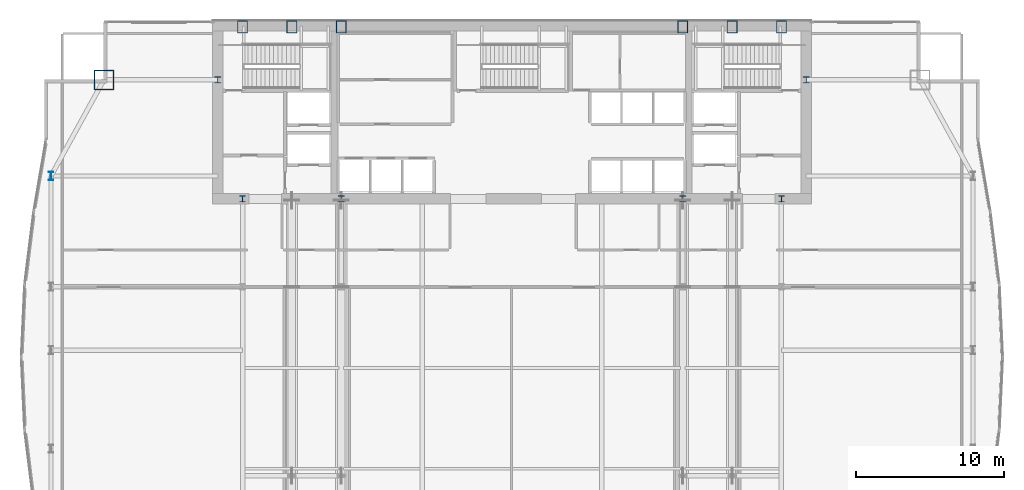
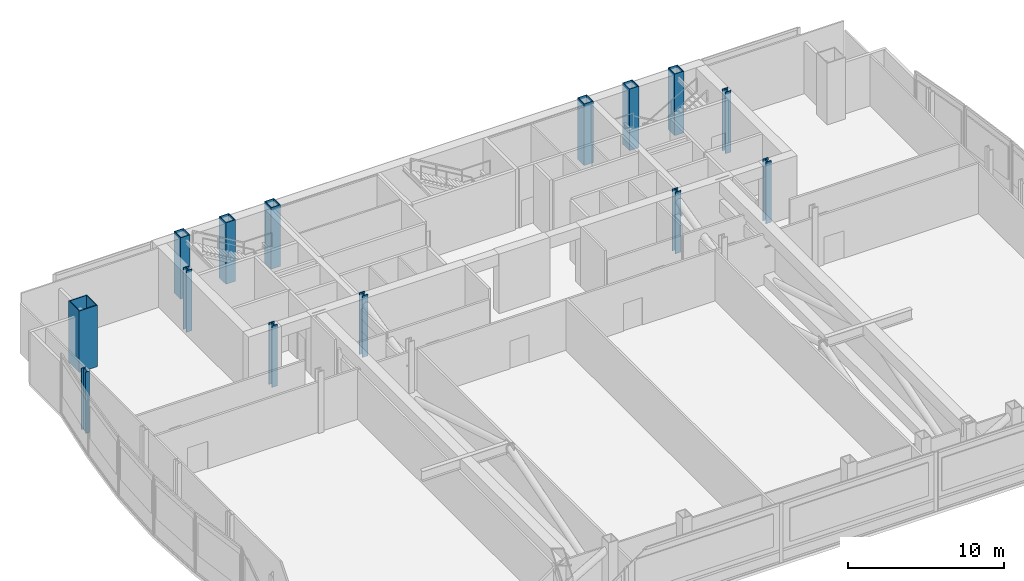
# One storey, part 3 of 30: 14 columns.
"""IFC4 building model written with IfcOpenShell, lengths in metres."""

from ifc_helpers import new_model, si_unit, direction, frame, origin, origin_2d, place, context, subcontext, project, spatial, hollow_rectangle, i_section, extrude, material, material_profile, profile_set, type_object, element, save


model = new_model("IFC4")

# Units and contexts
model_context = context("Model", 3, precision=1e-05, world=origin(), true_north=direction((0.0, 1.0)))
body_context = subcontext(model_context, "Body", "Model", "MODEL_VIEW")
ifc_project = project(units=[si_unit("LENGTHUNIT", "METRE"), si_unit("AREAUNIT", "SQUARE_METRE"), si_unit("VOLUMEUNIT", "CUBIC_METRE"), si_unit("PLANEANGLEUNIT", "RADIAN"), si_unit("MASSUNIT", "GRAM", prefix="KILO")], contexts=[model_context])

# Site, building, storey
site_placement = place(None, origin())
site = spatial("IfcSite", under=ifc_project, at=site_placement, CompositionType="ELEMENT")
building_placement = place(site_placement, origin())
building = spatial("IfcBuilding", under=site, at=building_placement, Name="Khoronbel Lancet Exchange", CompositionType="ELEMENT")
storey_placement = place(building_placement, frame((0.0, 0.0, 172.199951171875)))
storey = spatial("IfcBuildingStorey", under=building, at=storey_placement, Name="L43", CompositionType="ELEMENT", Elevation=172.199951171875)

# Columns
ifc_material_1 = material(Name="Steel S460", Category="steel")
ifc_material_profile_1 = material_profile(ifc_material_1, hollow_rectangle(XDim=0.699951171875, YDim=0.85009765625, WallThickness=0.050048828125, at=origin_2d()), Name="BOX 850x700x50")
ifc_profile_set_1 = profile_set([ifc_material_profile_1], Name="Steel S460")
column_type_1 = type_object("IfcColumnType", Name="COL-EC2", PredefinedType="COLUMN", material=ifc_profile_set_1)
for number, where, z_axis, x_axis, name in (
    (1, (18.22509765625, 53.280029296875, 0.0), (0.0, 0.0, 1.0), (1.0, 0.0, 0.0), "Structural column NC-W1 L43"),
    (2, (21.5625, 53.280029296875, 0.0), (0.0, 0.0, 1.0), (1.0, 0.0, 0.0), "Structural column NC-WM L43"),
    (3, (24.89990234375, 53.280029296875, 0.0), (0.0, 0.0, 1.0), (1.0, 0.0, 0.0), "Structural column NC-W2 L43"),
    (4, (48.0, 53.280029296875, 0.0), (0.0, 0.0, 1.0), (1.0, 0.0, 0.0), "Structural column NC-E1 L43"),
    (5, (51.33740234375, 53.280029296875, 0.0), (0.0, 0.0, 1.0), (1.0, 0.0, 0.0), "Structural column NC-EM L43"),
    (6, (54.675048828125, 53.280029296875, 0.0), (0.0, 0.0, 1.0), (1.0, 0.0, 0.0), "Structural column NC-E2 L43"),
):
    element("IfcColumn", number, at=place(storey_placement, frame(where, z_axis=z_axis, x_axis=x_axis)), inside=storey, type_object=column_type_1, Name=name, PredefinedType="COLUMN", context=body_context, shape_type="SweptSolid", body=[
        extrude(hollow_rectangle(XDim=0.699951171875, YDim=0.85009765625, WallThickness=0.050048828125, at=origin_2d()), origin(), (0.0, 0.0, 1.0), 4.800048828125),
    ])
ifc_material_profile_2 = material_profile(ifc_material_1, i_section(OverallWidth=0.416015625, OverallDepth=0.446044921875, WebThickness=0.0390625, FlangeThickness=0.062744140625, at=origin_2d()), Name="HD 400x509")
ifc_profile_set_2 = profile_set([ifc_material_profile_2], Name="Steel S460")
column_type_2 = type_object("IfcColumnType", Name="COL-IC2", PredefinedType="COLUMN", material=ifc_profile_set_2)
for number, where, z_axis, x_axis, name in (
    (7, (16.550048828125, 49.699951171875, 0.0), (0.0, 0.0, 1.0), (1.0, 0.0, 0.0), "Core-flank plumb transfer column CFW L43"),
    (8, (56.35009765625, 49.699951171875, 0.0), (0.0, 0.0, 1.0), (1.0, 0.0, 0.0), "Core-flank plumb transfer column CFE L43"),
    (9, (18.22509765625, 41.64990234375, 0.0), (0.0, 0.0, 1.0), (1.0, 0.0, 0.0), "Core-embedded steel column CTC1 L43"),
    (10, (24.89990234375, 41.64990234375, 0.0), (0.0, 0.0, 1.0), (1.0, 0.0, 0.0), "Core-embedded steel column CTC2 L43"),
    (11, (48.0, 41.64990234375, 0.0), (0.0, 0.0, 1.0), (1.0, 0.0, 0.0), "Core-embedded steel column CTC3 L43"),
    (12, (54.675048828125, 41.64990234375, 0.0), (0.0, 0.0, 1.0), (1.0, 0.0, 0.0), "Core-embedded steel column CTC4 L43"),
):
    element("IfcColumn", number, at=place(storey_placement, frame(where, z_axis=z_axis, x_axis=x_axis)), inside=storey, type_object=column_type_2, Name=name, PredefinedType="COLUMN", context=body_context, shape_type="SweptSolid", body=[
        extrude(i_section(OverallWidth=0.416015625, OverallDepth=0.446044921875, WebThickness=0.0390625, FlangeThickness=0.062744140625, at=origin_2d()), origin(), (0.0, 0.0, 1.0), 4.800048828125),
    ])
ifc_material_2 = material(Name="Steel S355", Category="steel")
ifc_material_profile_3 = material_profile(ifc_material_2, i_section(OverallWidth=0.300048828125, OverallDepth=0.550048828125, WebThickness=0.014892578125, FlangeThickness=0.029052734375, at=origin_2d()), Name="HEB 550")
ifc_profile_set_3 = profile_set([ifc_material_profile_3], Name="Steel S355")
column_type_3 = type_object("IfcColumnType", Name="COL-LC1", PredefinedType="COLUMN", material=ifc_profile_set_3)
column_1_placement = place(storey_placement, frame((5.27001953125, 43.199951171875, 0.0), z_axis=(0.0, 0.0, 1.0), x_axis=(1.0, 0.0, 0.0)))
element("IfcColumn", 13, at=column_1_placement, inside=storey, type_object=column_type_3, Name="Structural column WC-4 L43", PredefinedType="COLUMN", context=body_context, shape_type="SweptSolid", body=[
    extrude(i_section(OverallWidth=0.300048828125, OverallDepth=0.550048828125, WebThickness=0.014892578125, FlangeThickness=0.029052734375, at=origin_2d()), origin(), (0.0, 0.0, 1.0), 4.800048828125),
])
ifc_material_profile_4 = material_profile(ifc_material_1, hollow_rectangle(XDim=1.35009765625, YDim=1.35009765625, WallThickness=0.06494140625, at=origin_2d()), Name="BOX 1350x1350x65")
ifc_profile_set_4 = profile_set([ifc_material_profile_4], Name="Steel S460")
column_type_4 = type_object("IfcColumnType", Name="COL-MC4", PredefinedType="COLUMN", material=ifc_profile_set_4)
column_2_placement = place(storey_placement, frame((8.85009765625, 49.699951171875, 0.0), z_axis=(0.0, 0.0, 1.0), x_axis=(1.0, 0.0, 0.0)))
element("IfcColumn", 14, at=column_2_placement, inside=storey, type_object=column_type_4, Name="Structural column MC-NW L43", PredefinedType="COLUMN", context=body_context, shape_type="SweptSolid", body=[
    extrude(hollow_rectangle(XDim=1.35009765625, YDim=1.35009765625, WallThickness=0.06494140625, at=origin_2d()), origin(), (0.0, 0.0, 1.0), 4.800048828125),
])

save(model, "model.ifc")
